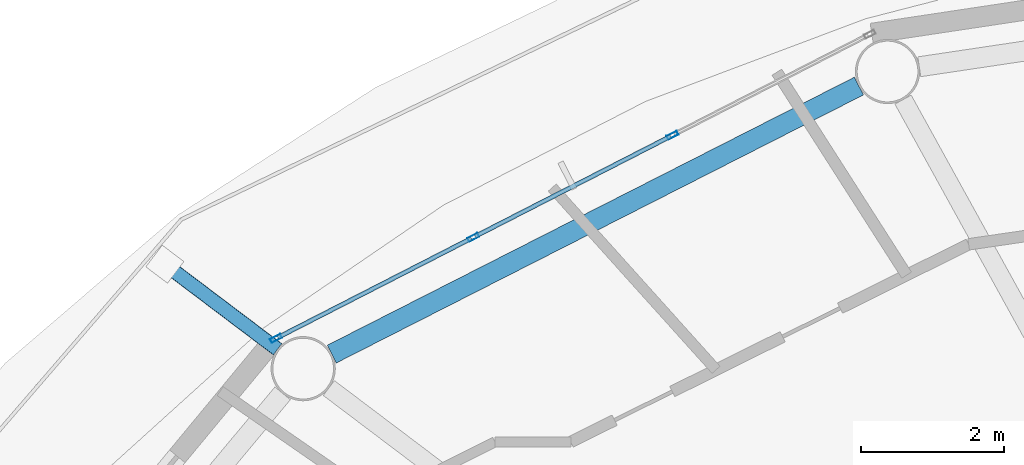
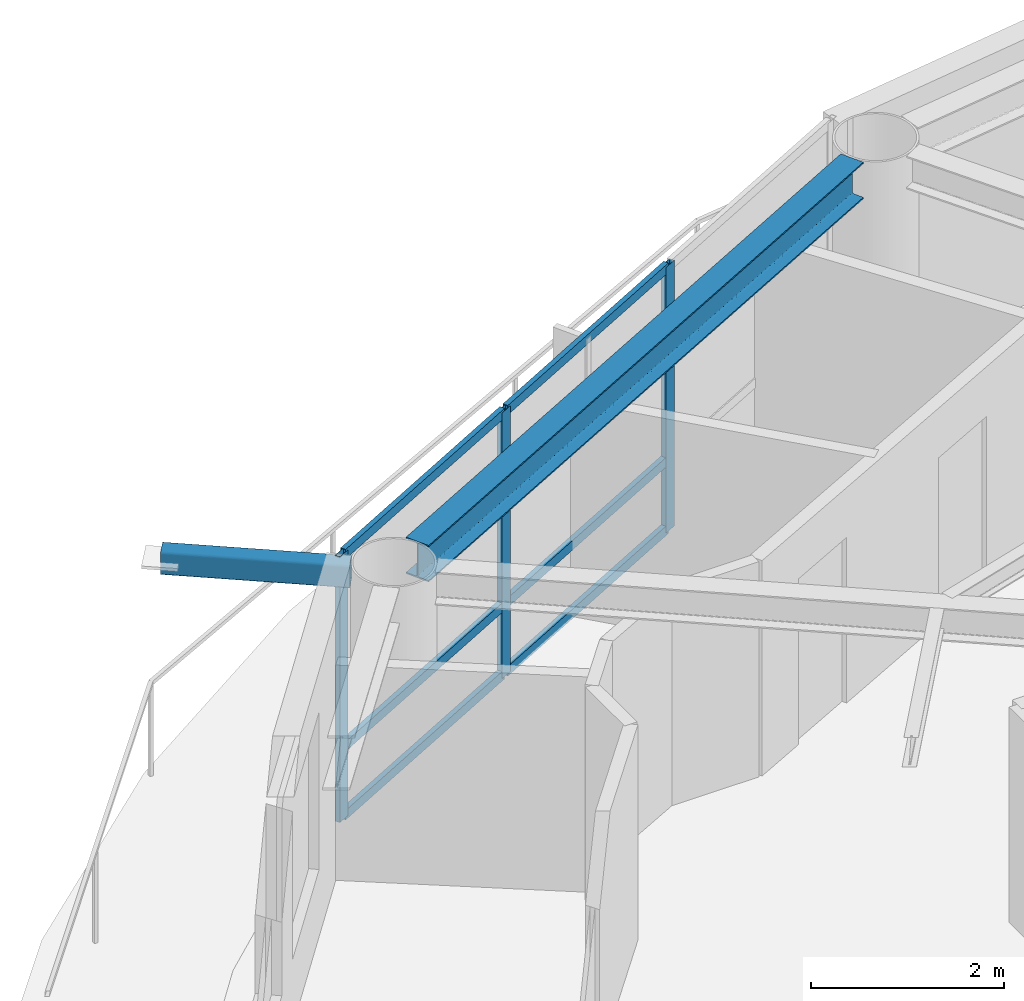
# One storey, part 8 of 22: 10 members, 1 beam, 1 element without a shape of its own.
"""IFC4 building model written with IfcOpenShell, lengths in metres."""

from ifc_helpers import new_model, si_unit, direction, frame, origin, origin_2d, place, context, subcontext, project, spatial, hollow_rectangle, i_section, extrude, material, layer, layer_set, material_profile, profile_set, type_object, element, aggregate, save


model = new_model("IFC4")

# Units and contexts
model_context = context("Model", 3, precision=1e-05, world=origin(), true_north=direction((0.0, 1.0)))
body_context = subcontext(model_context, "Body", "Model", "MODEL_VIEW")
ifc_project = project(units=[si_unit("LENGTHUNIT", "METRE"), si_unit("AREAUNIT", "SQUARE_METRE"), si_unit("VOLUMEUNIT", "CUBIC_METRE"), si_unit("PLANEANGLEUNIT", "RADIAN"), si_unit("MASSUNIT", "GRAM", prefix="KILO")], contexts=[model_context])

# Site, building, storey
site_placement = place(None, origin())
site = spatial("IfcSite", under=ifc_project, at=site_placement, CompositionType="ELEMENT")
building_placement = place(site_placement, origin())
building = spatial("IfcBuilding", under=site, at=building_placement, Name="Sarneth Arch Tower", CompositionType="ELEMENT")
storey_placement = place(building_placement, frame((0.0, 0.0, 291.0)))
storey = spatial("IfcBuildingStorey", under=building, at=storey_placement, Name="L75", CompositionType="ELEMENT", Elevation=291.0)

# Beam
ifc_material_1 = material(Name="Steel S355", Category="steel")
ifc_material_profile_1 = material_profile(ifc_material_1, i_section(OverallWidth=0.280029296875, OverallDepth=0.462890625, WebThickness=0.0107421875, FlangeThickness=0.017333984375, FilletRadius=0.01806640625, at=origin_2d()), Name="W460x113")
ifc_profile_set_1 = profile_set([ifc_material_profile_1], Name="Steel S355")
beam_type = type_object("IfcBeamType", Name="BM-RAD-460A", PredefinedType="BEAM", material=ifc_profile_set_1)
beam_placement = place(storey_placement, frame((37.80810546875, 59.534423828125, 3.138427734375), z_axis=(-0.891376248079, -0.453264144138, 0.0), x_axis=(0.453264144138, -0.891376248079, 0.0)))
element("IfcBeam", 1, at=beam_placement, inside=storey, type_object=beam_type, Name="L75 Perimeter spandrel beam 06", PredefinedType="BEAM", context=body_context, shape_type="SweptSolid", body=[
    extrude(i_section(OverallWidth=0.280029296875, OverallDepth=0.462890625, WebThickness=0.0107421875, FlangeThickness=0.017333984375, FilletRadius=0.01806640625, at=origin_2d()), origin(), (0.0, 0.0, 1.0), 8.281982421875),
])

# Curtain wall, members
ifc_material_2 = material(Name="Anodised aluminium Type AA25 and solar-control low-e laminated IGU", Category="aluminium")
ifc_layer = layer(ifc_material_2, 0.179931640625)
ifc_layer_set = layer_set([ifc_layer], Name="Anodised aluminium Type AA25 and solar-control low-e laminated IGU")
curtain_wall_type = type_object("IfcCurtainWallType", Name="CW-RES-HIGH", PredefinedType="NOTDEFINED", material=ifc_layer_set)
curtain_wall_placement = place(storey_placement, origin())
curtain_wall = element("IfcCurtainWall", 2, at=curtain_wall_placement, inside=storey, type_object=curtain_wall_type, Name="L75 Unitised curtain wall facet 06", PredefinedType="NOTDEFINED")
ifc_material_3 = material(Name="Anodised Aluminium 6063-T6", Category="aluminium")
ifc_material_profile_2 = material_profile(ifc_material_3, hollow_rectangle(XDim=0.06005859375, YDim=0.159912109375, WallThickness=0.00390625, at=origin_2d()), Name="AL-MULL-160x60x4")
ifc_profile_set_2 = profile_set([ifc_material_profile_2], Name="Anodised Aluminium 6063-T6")
member_type_1 = type_object("IfcMemberType", Name="CW-MULLION", PredefinedType="MULLION", material=ifc_profile_set_2)
member_1_placement = place(storey_placement, frame((35.197509765625, 58.844970703125, 0.0), z_axis=(0.0, 0.0, 1.0), x_axis=(0.455941901753, -0.890009540525, 0.0)))
member_1 = element("IfcMember", 3, at=member_1_placement, type_object=member_type_1, Name="CW-SYS-6 mullion 2", PredefinedType="MULLION", context=body_context, shape_type="SweptSolid", body=[
    extrude(hollow_rectangle(XDim=0.06005859375, YDim=0.159912109375, WallThickness=0.00390625, at=origin_2d()), origin(), (0.0, 0.0, 1.0), 3.3701171875),
])
member_2_placement = place(storey_placement, frame((32.407470703125, 57.415771484375, 0.0), z_axis=(0.0, 0.0, 1.0), x_axis=(0.455941901753, -0.890009540525, 0.0)))
member_2 = element("IfcMember", 4, at=member_2_placement, type_object=member_type_1, Name="CW-SYS-6 mullion 3", PredefinedType="MULLION", context=body_context, shape_type="SweptSolid", body=[
    extrude(hollow_rectangle(XDim=0.06005859375, YDim=0.159912109375, WallThickness=0.00390625, at=origin_2d()), origin(), (0.0, 0.0, 1.0), 3.3701171875),
])
member_3_placement = place(storey_placement, frame((29.644287109375, 56.000244140625, 0.0), z_axis=(0.0, 0.0, 1.0), x_axis=(0.455941901753, -0.890009540525, 0.0)))
member_3 = element("IfcMember", 5, at=member_3_placement, type_object=member_type_1, Name="CW-SYS-6 mullion 4", PredefinedType="MULLION", context=body_context, shape_type="SweptSolid", body=[
    extrude(hollow_rectangle(XDim=0.06005859375, YDim=0.159912109375, WallThickness=0.00390625, at=origin_2d()), origin(), (0.0, 0.0, 1.0), 3.3701171875),
])
ifc_material_4 = material(Name="Anodised Aluminium 6063-T6", Category="aluminium")
ifc_material_profile_3 = material_profile(ifc_material_4, hollow_rectangle(XDim=0.06005859375, YDim=0.1201171875, WallThickness=0.00390625, at=origin_2d()), Name="AL-TRAN-120x60x4")
ifc_profile_set_3 = profile_set([ifc_material_profile_3], Name="Anodised Aluminium 6063-T6")
member_type_2 = type_object("IfcMemberType", Name="CW-TRANSOM", PredefinedType="USERDEFINED", material=ifc_profile_set_3)
member_4_placement = place(storey_placement, frame((35.170654296875, 58.831298828125, 0.030029296875), z_axis=(-0.890017432405, -0.455926496286, 0.0), x_axis=(0.455926496286, -0.890017432405, 0.0)))
member_4 = element("IfcMember", 6, at=member_4_placement, type_object=member_type_2, Name="CW-SYS-6 transom 2.1", ObjectType="TRANSOM", PredefinedType="USERDEFINED", context=body_context, shape_type="SweptSolid", body=[
    extrude(hollow_rectangle(XDim=0.06005859375, YDim=0.1201171875, WallThickness=0.00390625, at=origin_2d()), origin(), (0.0, 0.0, 1.0), 3.07470703125),
])
member_5_placement = place(storey_placement, frame((35.170654296875, 58.831298828125, 0.89990234375), z_axis=(-0.890017432405, -0.455926496286, 0.0), x_axis=(0.455926496286, -0.890017432405, 0.0)))
member_5 = element("IfcMember", 7, at=member_5_placement, type_object=member_type_2, Name="CW-SYS-6 transom 2.2", ObjectType="TRANSOM", PredefinedType="USERDEFINED", context=body_context, shape_type="SweptSolid", body=[
    extrude(hollow_rectangle(XDim=0.06005859375, YDim=0.1201171875, WallThickness=0.00390625, at=origin_2d()), origin(), (0.0, 0.0, 1.0), 3.07470703125),
])
member_6_placement = place(storey_placement, frame((35.170654296875, 58.831298828125, 3.340087890625), z_axis=(-0.890017432405, -0.455926496286, 0.0), x_axis=(0.455926496286, -0.890017432405, 0.0)))
member_6 = element("IfcMember", 8, at=member_6_placement, type_object=member_type_2, Name="CW-SYS-6 transom 2.3", ObjectType="TRANSOM", PredefinedType="USERDEFINED", context=body_context, shape_type="SweptSolid", body=[
    extrude(hollow_rectangle(XDim=0.06005859375, YDim=0.1201171875, WallThickness=0.00390625, at=origin_2d()), origin(), (0.0, 0.0, 1.0), 3.07470703125),
])
member_7_placement = place(storey_placement, frame((32.380859375, 57.402099609375, 0.030029296875), z_axis=(-0.890022732705, -0.455916149384, 0.0), x_axis=(0.455916149384, -0.890022732705, 0.0)))
member_7 = element("IfcMember", 9, at=member_7_placement, type_object=member_type_2, Name="CW-SYS-6 transom 3.1", ObjectType="TRANSOM", PredefinedType="USERDEFINED", context=body_context, shape_type="SweptSolid", body=[
    extrude(hollow_rectangle(XDim=0.06005859375, YDim=0.1201171875, WallThickness=0.00390625, at=origin_2d()), origin(), (0.0, 0.0, 1.0), 3.044921875),
])
member_8_placement = place(storey_placement, frame((32.380859375, 57.402099609375, 0.89990234375), z_axis=(-0.890022732705, -0.455916149384, 0.0), x_axis=(0.455916149384, -0.890022732705, 0.0)))
member_8 = element("IfcMember", 10, at=member_8_placement, type_object=member_type_2, Name="CW-SYS-6 transom 3.2", ObjectType="TRANSOM", PredefinedType="USERDEFINED", context=body_context, shape_type="SweptSolid", body=[
    extrude(hollow_rectangle(XDim=0.06005859375, YDim=0.1201171875, WallThickness=0.00390625, at=origin_2d()), origin(), (0.0, 0.0, 1.0), 3.044921875),
])
member_9_placement = place(storey_placement, frame((32.380859375, 57.402099609375, 3.340087890625), z_axis=(-0.890022732705, -0.455916149384, 0.0), x_axis=(0.455916149384, -0.890022732705, 0.0)))
member_9 = element("IfcMember", 11, at=member_9_placement, type_object=member_type_2, Name="CW-SYS-6 transom 3.3", ObjectType="TRANSOM", PredefinedType="USERDEFINED", context=body_context, shape_type="SweptSolid", body=[
    extrude(hollow_rectangle(XDim=0.06005859375, YDim=0.1201171875, WallThickness=0.00390625, at=origin_2d()), origin(), (0.0, 0.0, 1.0), 3.044921875),
])
aggregate(curtain_wall, [member_1, member_2, member_3, member_4, member_5, member_6, member_7, member_8, member_9])

# Member
ifc_material_5 = material(Name="Steel S355", Category="steel")
ifc_material_profile_4 = material_profile(ifc_material_5, hollow_rectangle(XDim=0.199951171875, YDim=0.300048828125, WallThickness=0.012451171875, InnerFilletRadius=0.018798828125, OuterFilletRadius=0.03125, at=origin_2d()), Name="RHS300x200x12.5")
ifc_profile_set_4 = profile_set([ifc_material_profile_4], Name="Steel S355")
member_type_3 = type_object("IfcMemberType", Name="MEM-CANT-STRUT", PredefinedType="STRUT", material=ifc_profile_set_4)
member_10_placement = place(storey_placement, frame((29.665771484375, 55.84765625, 3.2099609375), z_axis=(-0.797966257869, 0.602702124853, 0.0), x_axis=(-0.602702124853, -0.797966257869, 0.0)))
element("IfcMember", 12, at=member_10_placement, inside=storey, type_object=member_type_3, Name="L75 Balcony cantilever bracket 07", PredefinedType="STRUT", context=body_context, shape_type="SweptSolid", body=[
    extrude(hollow_rectangle(XDim=0.199951171875, YDim=0.300048828125, WallThickness=0.012451171875, InnerFilletRadius=0.018798828125, OuterFilletRadius=0.03125, at=origin_2d()), origin(), (0.0, 0.0, 1.0), 1.97802734375),
])

save(model, "model.ifc")
